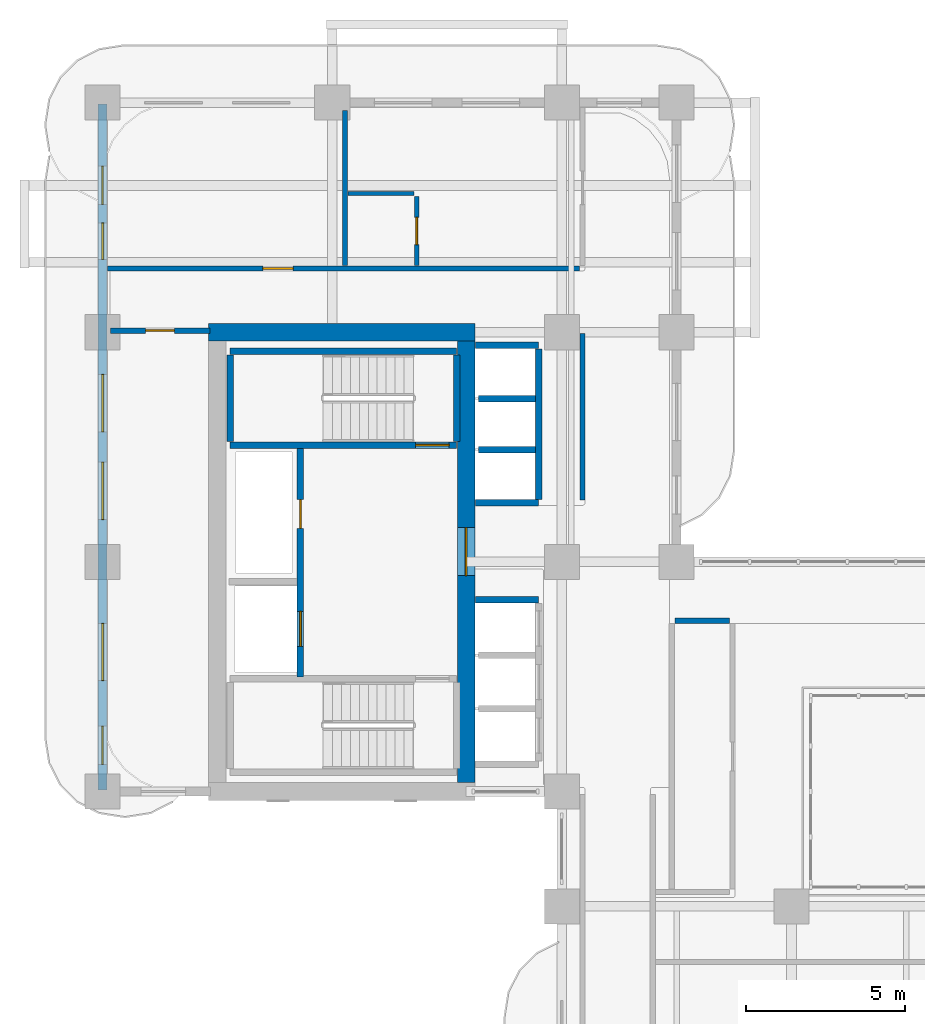
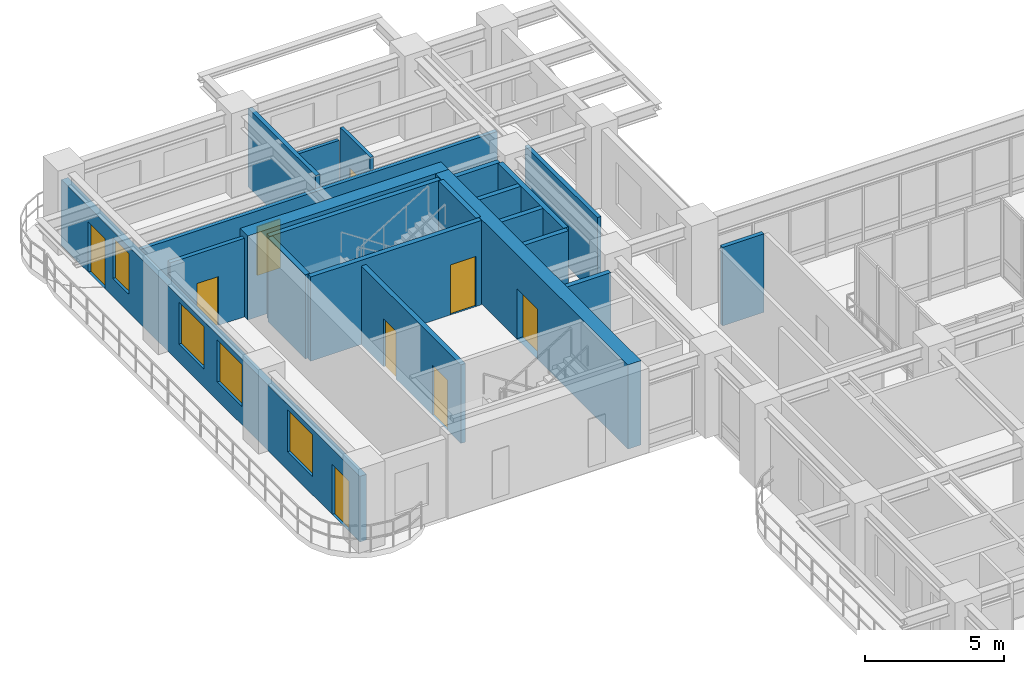
# One storey, part 16 of 22: 21 walls, 9 doors, 4 windows, 13 openings.
"""IFC4 building model written with IfcOpenShell, lengths in metres."""

import ifcopenshell
import ifcopenshell.guid

model = None  # the IFC model being written
_history = None  # IfcOwnerHistory: only IFC2X3 demands one
_inside = {}  # id of a spatial element -> (the spatial element, [elements in it])
_under = {}  # id of a project, library or spatial element -> (it, [spatial elements below it])
_declared = {}  # id of a project -> (the project, [libraries it declares])
_typed = {}  # id of a type object -> (the type object, [elements of that type])
_made_of = {}  # id of a material, layer set ... -> (it, [elements and type objects made of it])


def new_model(schema):
    """Start an empty IFC model of exactly this schema.

    Asked for "IFC4X3", IfcOpenShell would pick the latest addendum, in which some entities
    have other attributes; the version numbers below select the first issue.
    IFC2X3 requires an IfcOwnerHistory on every rooted entity: one is made here for all.
    """
    global model, _history
    if schema == "IFC4X3":
        model = ifcopenshell.file(schema_version=(4, 3, 0, 0))
    else:
        model = ifcopenshell.file(schema=schema)
    _inside.clear()
    _under.clear()
    _declared.clear()
    _typed.clear()
    _made_of.clear()
    _history = None
    if model.schema == "IFC2X3":
        org = make("IfcOrganization", Name="unknown")
        user = make(
            "IfcPersonAndOrganization",
            ThePerson=make("IfcPerson", FamilyName="unknown"),
            TheOrganization=org,
        )
        app = make(
            "IfcApplication",
            ApplicationDeveloper=org,
            Version="unknown",
            ApplicationFullName="unknown",
            ApplicationIdentifier="unknown",
        )
        _history = make(
            "IfcOwnerHistory",
            OwningUser=user,
            OwningApplication=app,
            ChangeAction="ADDED",
            CreationDate=0,
        )
    return model


def make(cls, **values):
    """One entity of the class cls with the attributes given. An attribute that is None is left unset."""
    return model.create_entity(
        cls, **{name: value for name, value in values.items() if value is not None}
    )


def rooted(cls, **values):
    """An entity with a GlobalId (a new one), such as an element, a storey or a relation."""
    return make(cls, GlobalId=ifcopenshell.guid.new(), OwnerHistory=_history, **values)


def si_unit(unit_type, name, prefix=None):
    """IfcSIUnit, for example si_unit("LENGTHUNIT", "METRE", prefix="MILLI")."""
    return make("IfcSIUnit", UnitType=unit_type, Prefix=prefix, Name=name)


def derived_unit(unit_type, elements):
    """IfcDerivedUnit: a product of units, each with its exponent."""
    return make(
        "IfcDerivedUnit",
        Elements=[
            make("IfcDerivedUnitElement", Unit=unit, Exponent=power)
            for unit, power in elements
        ],
        UnitType=unit_type,
    )


def assignment(units):
    """IfcUnitAssignment: the units of a project."""
    return None if units is None else make("IfcUnitAssignment", Units=units)


def point(xyz):
    """IfcCartesianPoint."""
    return None if xyz is None else make("IfcCartesianPoint", Coordinates=xyz)


def direction(xyz):
    """IfcDirection."""
    return None if xyz is None else make("IfcDirection", DirectionRatios=xyz)


def frame(location, z_axis=None, x_axis=None):
    """IfcAxis2Placement3D, a coordinate frame: its origin and axes. An axis left out is left unset."""
    return make(
        "IfcAxis2Placement3D",
        Location=point(location),
        Axis=direction(z_axis),
        RefDirection=direction(x_axis),
    )


def frame_2d(location, x_axis=None):
    """IfcAxis2Placement2D, a coordinate frame in the plane: its origin and x axis."""
    return make(
        "IfcAxis2Placement2D", Location=point(location), RefDirection=direction(x_axis)
    )


def origin():
    """The frame at (0, 0, 0) with its axes left unset."""
    return frame((0.0, 0.0, 0.0))


def place(relative_to, where):
    """IfcLocalPlacement: puts the frame where relative to a parent placement (None: the world)."""
    return make(
        "IfcLocalPlacement", PlacementRelTo=relative_to, RelativePlacement=where
    )


def context(
    kind, dimensions, precision=None, world=None, true_north=None, identifier=None
):
    """IfcGeometricRepresentationContext, for example the 3D "Model" context."""
    return make(
        "IfcGeometricRepresentationContext",
        ContextIdentifier=identifier,
        ContextType=kind,
        CoordinateSpaceDimension=dimensions,
        Precision=precision,
        WorldCoordinateSystem=world,
        TrueNorth=true_north,
    )


def subcontext(parent, identifier, kind, view, scale=None):
    """IfcGeometricRepresentationSubContext, for example "Body" below "Model"."""
    return make(
        "IfcGeometricRepresentationSubContext",
        ContextIdentifier=identifier,
        ContextType=kind,
        ParentContext=parent,
        TargetScale=scale,
        TargetView=view,
    )


def project(units=None, contexts=None):
    """IfcProject with its units and contexts."""
    return rooted(
        "IfcProject",
        Name="project",
        RepresentationContexts=contexts,
        UnitsInContext=assignment(units),
    )


def spatial(cls, under=None, at=None, **own):
    """A site, building, storey or space (cls), placed at a placement, below another one or the project."""
    s = rooted(cls, ObjectPlacement=at, **own)
    if under is not None:
        _under.setdefault(under.id(), (under, []))[1].append(s)
    return s


def profile(cls, at=None, kind="AREA", **sizes):
    """A parametric profile (cls). Its sizes go by their IFC names, for example OverallWidth=200.0."""
    return make(cls, ProfileType=kind, Position=at, **sizes)


def rectangle(**sizes):
    """IfcRectangleProfileDef."""
    return profile("IfcRectangleProfileDef", **sizes)


def extrude(swept, where, along, depth):
    """IfcExtrudedAreaSolid: the profile swept, set in the frame where, extruded along a direction by depth."""
    return make(
        "IfcExtrudedAreaSolid",
        SweptArea=swept,
        Position=where,
        ExtrudedDirection=direction(along),
        Depth=depth,
    )


def shape(context_of_items, identifier, shape_type, items):
    """IfcShapeRepresentation: the items that make up one representation, for example the "Body"."""
    return make(
        "IfcShapeRepresentation",
        ContextOfItems=context_of_items,
        RepresentationIdentifier=identifier,
        RepresentationType=shape_type,
        Items=items,
    )


def source(mapping_origin, context_of_items, identifier, shape_type, items):
    """IfcRepresentationMap: a shape defined once, which mapped items show again and again."""
    return make(
        "IfcRepresentationMap",
        MappingOrigin=mapping_origin,
        MappedRepresentation=shape(context_of_items, identifier, shape_type, items),
    )


def transform(
    local_origin,
    x_axis=None,
    y_axis=None,
    z_axis=None,
    scale=None,
    scale2=None,
    scale3=None,
    uniform=True,
):
    """IfcCartesianTransformationOperator3D, or its non-uniform kind. x_axis, y_axis, z_axis: its Axis1, 2, 3."""
    if uniform:
        return make(
            "IfcCartesianTransformationOperator3D",
            Axis1=direction(x_axis),
            Axis2=direction(y_axis),
            LocalOrigin=point(local_origin),
            Scale=scale,
            Axis3=direction(z_axis),
        )
    return make(
        "IfcCartesianTransformationOperator3DnonUniform",
        Axis1=direction(x_axis),
        Axis2=direction(y_axis),
        LocalOrigin=point(local_origin),
        Scale=scale,
        Axis3=direction(z_axis),
        Scale2=scale2,
        Scale3=scale3,
    )


def mapped(mapping_source, mapping_target):
    """IfcMappedItem: shows the shape of a source again, moved by a transform."""
    return make(
        "IfcMappedItem", MappingSource=mapping_source, MappingTarget=mapping_target
    )


def material(Name=None, Category=None):
    """IfcMaterial."""
    return make("IfcMaterial", Name=Name, Category=Category)


def layer(
    of_material, thickness, ventilated=None, Name=None, Category=None, Priority=None
):
    """IfcMaterialLayer: one layer of a wall or slab, of a material (None: an air gap)."""
    return make(
        "IfcMaterialLayer",
        Material=of_material,
        LayerThickness=thickness,
        IsVentilated=ventilated,
        Name=Name,
        Category=Category,
        Priority=Priority,
    )


def layer_set(layers, Name=None):
    """IfcMaterialLayerSet."""
    return make("IfcMaterialLayerSet", MaterialLayers=layers, LayerSetName=Name)


def made_of(thing, what):
    """Note that an element or type object is made of a material, layer set ...; save() writes the relation."""
    if what is not None:
        _made_of.setdefault(what.id(), (what, []))[1].append(thing)
    return thing


def type_object(cls, material=None, **own):
    """A type object (cls), such as IfcWallType, which elements share."""
    return made_of(rooted(cls, **own), material)


def type_shapes(of_type, sources):
    """Give a type object the sources (RepresentationMaps) that its elements show as mapped items."""
    of_type.RepresentationMaps = sources


def element(
    cls,
    number,
    at=None,
    inside=None,
    cuts=None,
    type_object=None,
    material=None,
    context=None,
    identifier="Body",
    shape_type=None,
    held_by="IfcProductDefinitionShape",
    body=None,
    shapes=None,
    **own,
):
    """One element of the class cls, such as IfcWall. Its Tag is "e" and its number.

    at: its placement. inside: the storey or other place that contains it. cuts: it is an
    opening in that element (IfcRelVoidsElement). A single representation is given by context,
    identifier, shape_type and body (its items); several are given by shapes. held_by: the class
    of the entity that holds the representations. save() writes the other relations.
    """
    e = rooted(cls, Tag="e%d" % number, ObjectPlacement=at, **own)
    if body is not None:
        shapes = [shape(context, identifier, shape_type, body)]
    if shapes is not None:
        e.Representation = make(held_by, Representations=shapes)
    if inside is not None:
        _inside.setdefault(inside.id(), (inside, []))[1].append(e)
    if cuts is not None:
        rooted(
            "IfcRelVoidsElement", RelatingBuildingElement=cuts, RelatedOpeningElement=e
        )
    if type_object is not None:
        _typed.setdefault(type_object.id(), (type_object, []))[1].append(e)
    return made_of(e, material)


def fill(opening, filler):
    """IfcRelFillsElement: the door or window that sits in an opening."""
    return rooted(
        "IfcRelFillsElement",
        RelatingOpeningElement=opening,
        RelatedBuildingElement=filler,
    )


def aggregate(whole, parts):
    """IfcRelAggregates: a whole, such as a stair, and the parts it consists of."""
    return rooted("IfcRelAggregates", RelatingObject=whole, RelatedObjects=parts)


def save(model, path):
    """Write the relations noted so far, then the file.

    IfcRelAggregates (storeys below a building ...), IfcRelContainedInSpatialStructure (elements
    in a storey), IfcRelDefinesByType, IfcRelAssociatesMaterial and IfcRelDeclares: one each for
    every whole, place, type object, material and project.
    """
    for whole, parts in _under.values():
        aggregate(whole, parts)
    for where, things in _inside.values():
        rooted(
            "IfcRelContainedInSpatialStructure",
            RelatedElements=things,
            RelatingStructure=where,
        )
    for kind, things in _typed.values():
        rooted("IfcRelDefinesByType", RelatedObjects=things, RelatingType=kind)
    for what, things in _made_of.values():
        rooted("IfcRelAssociatesMaterial", RelatedObjects=things, RelatingMaterial=what)
    for by, libraries in _declared.values():
        rooted("IfcRelDeclares", RelatingContext=by, RelatedDefinitions=libraries)
    model.write(path)


model = new_model("IFC4")

# Units and contexts
model_context = context("Model", 3, precision=1e-05, world=origin(), true_north=direction((0.0, 1.0)))
body_context = subcontext(model_context, "Body", "Model", "MODEL_VIEW")
ifc_project = project(units=[si_unit("LENGTHUNIT", "METRE"), si_unit("AREAUNIT", "SQUARE_METRE"), si_unit("VOLUMEUNIT", "CUBIC_METRE"), si_unit("PLANEANGLEUNIT", "RADIAN"), si_unit("MASSUNIT", "GRAM", prefix="KILO"), si_unit("THERMODYNAMICTEMPERATUREUNIT", "KELVIN"), si_unit("POWERUNIT", "WATT"), derived_unit("THERMALTRANSMITTANCEUNIT", [(si_unit("POWERUNIT", "WATT"), 1), (si_unit("AREAUNIT", "SQUARE_METRE"), -1), (si_unit("THERMODYNAMICTEMPERATUREUNIT", "KELVIN"), -1)])], contexts=[model_context])

# Site, building, storey
site_placement = place(None, origin())
site = spatial("IfcSite", under=ifc_project, at=site_placement, CompositionType="ELEMENT")
building_placement = place(site_placement, origin())
building = spatial("IfcBuilding", under=site, at=building_placement, Name="Zahravan Archway Hotel and Residences", CompositionType="ELEMENT")
storey_placement = place(building_placement, frame((0.0, 0.0, 80.5)))
storey = spatial("IfcBuildingStorey", under=building, at=storey_placement, Name="L19", CompositionType="ELEMENT", Elevation=80.5)

# Wall
ifc_material_1 = material(Name="Concrete C70/85", Category="concrete")
ifc_layer_1 = layer(ifc_material_1, 0.550048828125, Name="Concrete C70/85", Category="concrete")
ifc_layer_set_1 = layer_set([ifc_layer_1], Name="Concrete C70/85")
wall_type_1 = type_object("IfcWallType", Name="CW-CORE-550", PredefinedType="SHEAR", material=ifc_layer_set_1)
wall_1_placement = place(storey_placement, frame((3.324951171875, 39.60009765625, 0.0), z_axis=(0.0, 0.0, 1.0), x_axis=(1.0, 0.0, 0.0)))
element("IfcWall", 1, at=wall_1_placement, inside=storey, type_object=wall_type_1, Name="L19 Core B Shear N Wall 550 mm", PredefinedType="SHEAR", context=body_context, shape_type="SweptSolid", body=[
    extrude(rectangle(XDim=8.35009765625, YDim=0.550048828125, at=frame_2d((4.175048828125, 0.0))), origin(), (0.0, 0.0, 1.0), 3.699951171875),
])

# Wall, opening, door
wall_2_placement = place(storey_placement, frame((11.39990234375, 25.47509765625, 0.0), z_axis=(0.0, 0.0, 1.0), x_axis=(0.0, 1.0, 0.0)))
wall_2 = element("IfcWall", 2, at=wall_2_placement, inside=storey, type_object=wall_type_1, Name="L19 Core B Shear E Wall 550 mm", PredefinedType="SHEAR", context=body_context, shape_type="SweptSolid", body=[
    extrude(rectangle(XDim=13.849853515625, YDim=0.550048828125, at=frame_2d((6.9248046875, 0.0))), origin(), (0.0, 0.0, 1.0), 3.699951171875),
])
opening_1_placement = place(wall_2_placement, frame((6.4951171875, 0.0, 0.0)))
opening_1 = element("IfcOpeningElement", 3, at=opening_1_placement, cuts=wall_2, Name="Opening FD-L1", PredefinedType="OPENING", context=body_context, shape_type="SweptSolid", body=[
    extrude(rectangle(XDim=1.5, YDim=2.199951171875, at=frame_2d((0.75, 1.10009765625))), frame((0.0, 0.28515625, 0.0), z_axis=(0.0, -1.0, 0.0), x_axis=(1.0, 0.0, 0.0)), (0.0, 0.0, 1.0), 0.570068359375),
])
ifc_material_2 = material(Name="Fire-Rated Painted Steel", Category="steel")
door_type_1 = type_object("IfcDoorType", Name="FD-LOBBY-1500", OperationType="DOUBLE_DOOR_SINGLE_SWING", PredefinedType="DOOR", material=ifc_material_2)
shared_shape_1 = source(origin(), body_context, "Body", "SweptSolid", [
    extrude(rectangle(XDim=1.5, YDim=2.199951171875, at=frame_2d((0.75, 1.10009765625))), frame((0.0, 0.02490234375, 0.0), z_axis=(0.0, -1.0, 0.0), x_axis=(1.0, 0.0, 0.0)), (0.0, 0.0, 1.0), 0.050048828125),
])
type_shapes(door_type_1, [shared_shape_1])
door_1_placement = place(opening_1_placement, origin())
door_1 = element("IfcDoor", 4, at=door_1_placement, inside=storey, type_object=door_type_1, Name="L19 Core B FSAE Lobby Door", OperationType="DOUBLE_DOOR_SINGLE_SWING", OverallHeight=2.199951171875, OverallWidth=1.5, PredefinedType="DOOR", context=body_context, shape_type="MappedRepresentation", body=[
    mapped(shared_shape_1, transform((0.0, 0.0, 0.0), scale=1.0)),
])
fill(opening_1, door_1)

# Wall, openings, doors, windows
ifc_material_3 = material(Name="Honed Red-Ochre Sandstone & Insulated Block", Category="masonry")
ifc_layer_2 = layer(ifc_material_3, 0.280029296875, Name="Honed Red-Ochre Sandstone & Insulated Block", Category="masonry")
ifc_layer_set_2 = layer_set([ifc_layer_2], Name="Honed Red-Ochre Sandstone & Insulated Block")
wall_type_2 = type_object("IfcWallType", Name="EW-LOG-280", PredefinedType="SOLIDWALL", material=ifc_layer_set_2)
wall_3_placement = place(storey_placement, frame((0.0, 25.25, 0.0), z_axis=(0.0, 0.0, 1.0), x_axis=(0.0, 1.0, 0.0)))
wall_3 = element("IfcWall", 5, at=wall_3_placement, inside=storey, type_object=wall_type_2, Name="L19 Exterior Sandstone Wall WB-W", PredefinedType="SOLIDWALL", context=body_context, shape_type="SweptSolid", body=[
    extrude(rectangle(XDim=21.5, YDim=0.280029296875, at=frame_2d((10.75, 0.0))), origin(), (0.0, 0.0, 1.0), 2.885009765625),
])
opening_2_placement = place(wall_3_placement, frame((18.35693359375, 0.0, 0.0)))
opening_2 = element("IfcOpeningElement", 6, at=opening_2_placement, cuts=wall_3, Name="Opening ED-BL1", PredefinedType="OPENING", context=body_context, shape_type="SweptSolid", body=[
    extrude(rectangle(XDim=1.199951171875, YDim=2.199951171875, at=frame_2d((0.60009765625, 1.10009765625))), frame((0.0, 0.14990234375, 0.0), z_axis=(0.0, -1.0, 0.0), x_axis=(1.0, 0.0, 0.0)), (0.0, 0.0, 1.0), 0.300048828125),
])
opening_3_placement = place(wall_3_placement, frame((0.800048828125, 0.0, 0.0)))
opening_3 = element("IfcOpeningElement", 7, at=opening_3_placement, cuts=wall_3, Name="Opening ED-BL1", PredefinedType="OPENING", context=body_context, shape_type="SweptSolid", body=[
    extrude(rectangle(XDim=1.199951171875, YDim=2.199951171875, at=frame_2d((0.60009765625, 1.10009765625))), frame((0.0, 0.14990234375, 0.0), z_axis=(0.0, -1.0, 0.0), x_axis=(1.0, 0.0, 0.0)), (0.0, 0.0, 1.0), 0.300048828125),
])
opening_4_placement = place(wall_3_placement, frame((3.425048828125, 0.0, 0.800048828125)))
opening_4 = element("IfcOpeningElement", 8, at=opening_4_placement, cuts=wall_3, Name="Opening W-02", PredefinedType="OPENING", context=body_context, shape_type="SweptSolid", body=[
    extrude(rectangle(XDim=1.800048828125, YDim=1.85009765625, at=frame_2d((0.89990234375, 0.925048828125))), frame((0.0, 0.14990234375, 0.0), z_axis=(0.0, -1.0, 0.0), x_axis=(1.0, 0.0, 0.0)), (0.0, 0.0, 1.0), 0.300048828125),
])
opening_5_placement = place(wall_3_placement, frame((8.47509765625, 0.0, 0.800048828125)))
opening_5 = element("IfcOpeningElement", 9, at=opening_5_placement, cuts=wall_3, Name="Opening W-02", PredefinedType="OPENING", context=body_context, shape_type="SweptSolid", body=[
    extrude(rectangle(XDim=1.800048828125, YDim=1.85009765625, at=frame_2d((0.89990234375, 0.925048828125))), frame((0.0, 0.14990234375, 0.0), z_axis=(0.0, -1.0, 0.0), x_axis=(1.0, 0.0, 0.0)), (0.0, 0.0, 1.0), 0.300048828125),
])
opening_6_placement = place(wall_3_placement, frame((11.22509765625, 0.0, 0.800048828125)))
opening_6 = element("IfcOpeningElement", 10, at=opening_6_placement, cuts=wall_3, Name="Opening W-02", PredefinedType="OPENING", context=body_context, shape_type="SweptSolid", body=[
    extrude(rectangle(XDim=1.800048828125, YDim=1.85009765625, at=frame_2d((0.89990234375, 0.925048828125))), frame((0.0, 0.14990234375, 0.0), z_axis=(0.0, -1.0, 0.0), x_axis=(1.0, 0.0, 0.0)), (0.0, 0.0, 1.0), 0.300048828125),
])
opening_7_placement = place(wall_3_placement, frame((16.632080078125, 0.0, 0.800048828125)))
opening_7 = element("IfcOpeningElement", 11, at=opening_7_placement, cuts=wall_3, Name="Opening W-05", PredefinedType="OPENING", context=body_context, shape_type="SweptSolid", body=[
    extrude(rectangle(XDim=1.14990234375, YDim=1.800048828125, at=frame_2d((0.574951171875, 0.89990234375))), frame((0.0, 0.14990234375, 0.0), z_axis=(0.0, -1.0, 0.0), x_axis=(1.0, 0.0, 0.0)), (0.0, 0.0, 1.0), 0.300048828125),
])
ifc_material_4 = material(Name="Bronze-Anodized Glazed Aluminium", Category="aluminium")
door_type_2 = type_object("IfcDoorType", Name="ED-BALC-1200", OperationType="SLIDING_TO_LEFT", PredefinedType="DOOR", material=ifc_material_4)
shared_shape_2 = source(origin(), body_context, "Body", "SweptSolid", [
    extrude(rectangle(XDim=1.199951171875, YDim=2.199951171875, at=frame_2d((0.60009765625, 1.10009765625))), frame((0.0, 0.02490234375, 0.0), z_axis=(0.0, -1.0, 0.0), x_axis=(1.0, 0.0, 0.0)), (0.0, 0.0, 1.0), 0.050048828125),
])
type_shapes(door_type_2, [shared_shape_2])
door_2_placement = place(opening_2_placement, origin())
door_2 = element("IfcDoor", 12, at=door_2_placement, inside=storey, type_object=door_type_2, Name="L19 Outdoor Access Sliding Door (SLB-BAL-L19-NB)", OperationType="SLIDING_TO_LEFT", OverallHeight=2.199951171875, OverallWidth=1.199951171875, PredefinedType="DOOR", context=body_context, shape_type="MappedRepresentation", body=[
    mapped(shared_shape_2, transform((0.0, 0.0, 0.0), scale=1.0)),
])
fill(opening_2, door_2)
door_3_placement = place(opening_3_placement, origin())
door_3 = element("IfcDoor", 13, at=door_3_placement, inside=storey, type_object=door_type_2, Name="L19 Outdoor Access Sliding Door (SLB-BAL-L19-WB)", OperationType="SLIDING_TO_LEFT", OverallHeight=2.199951171875, OverallWidth=1.199951171875, PredefinedType="DOOR", context=body_context, shape_type="MappedRepresentation", body=[
    mapped(shared_shape_2, transform((0.0, 0.0, 0.0), scale=1.0)),
])
fill(opening_3, door_3)
ifc_material_5 = material(Name="Bronze-Anodized Thermal-Break Aluminium & Low-E Glass", Category="aluminium")
window_type_1 = type_object("IfcWindowType", Name="WIN-TWR-1800", PartitioningType="DOUBLE_PANEL_VERTICAL", PredefinedType="WINDOW", material=ifc_material_5)
shared_shape_3 = source(origin(), body_context, "Body", "SweptSolid", [
    extrude(rectangle(XDim=1.800048828125, YDim=1.85009765625, at=frame_2d((0.89990234375, 0.925048828125))), frame((0.0, 0.030029296875, 0.0), z_axis=(0.0, -1.0, 0.0), x_axis=(1.0, 0.0, 0.0)), (0.0, 0.0, 1.0), 0.06005859375),
])
type_shapes(window_type_1, [shared_shape_3])
window_1_placement = place(opening_4_placement, origin())
window_1 = element("IfcWindow", 14, at=window_1_placement, inside=storey, type_object=window_type_1, Name="L19 Loggia Window 30", OverallHeight=1.85009765625, OverallWidth=1.800048828125, PartitioningType="DOUBLE_PANEL_VERTICAL", PredefinedType="WINDOW", context=body_context, shape_type="MappedRepresentation", body=[
    mapped(shared_shape_3, transform((0.0, 0.0, 0.0), scale=1.0)),
])
fill(opening_4, window_1)
window_2_placement = place(opening_5_placement, origin())
window_2 = element("IfcWindow", 15, at=window_2_placement, inside=storey, type_object=window_type_1, Name="L19 Loggia Window 31", OverallHeight=1.85009765625, OverallWidth=1.800048828125, PartitioningType="DOUBLE_PANEL_VERTICAL", PredefinedType="WINDOW", context=body_context, shape_type="MappedRepresentation", body=[
    mapped(shared_shape_3, transform((0.0, 0.0, 0.0), scale=1.0)),
])
fill(opening_5, window_2)
window_3_placement = place(opening_6_placement, origin())
window_3 = element("IfcWindow", 16, at=window_3_placement, inside=storey, type_object=window_type_1, Name="L19 Loggia Window 32", OverallHeight=1.85009765625, OverallWidth=1.800048828125, PartitioningType="DOUBLE_PANEL_VERTICAL", PredefinedType="WINDOW", context=body_context, shape_type="MappedRepresentation", body=[
    mapped(shared_shape_3, transform((0.0, 0.0, 0.0), scale=1.0)),
])
fill(opening_6, window_3)
window_type_2 = type_object("IfcWindowType", Name="WIN-TWR-1150", PartitioningType="SINGLE_PANEL", PredefinedType="WINDOW", material=ifc_material_5)
shared_shape_4 = source(origin(), body_context, "Body", "SweptSolid", [
    extrude(rectangle(XDim=1.14990234375, YDim=1.800048828125, at=frame_2d((0.574951171875, 0.89990234375))), frame((0.0, 0.030029296875, 0.0), z_axis=(0.0, -1.0, 0.0), x_axis=(1.0, 0.0, 0.0)), (0.0, 0.0, 1.0), 0.06005859375),
])
type_shapes(window_type_2, [shared_shape_4])
window_4_placement = place(opening_7_placement, origin())
window_4 = element("IfcWindow", 17, at=window_4_placement, inside=storey, type_object=window_type_2, Name="L19 Loggia Window 33", OverallHeight=1.800048828125, OverallWidth=1.14990234375, PartitioningType="SINGLE_PANEL", PredefinedType="WINDOW", context=body_context, shape_type="MappedRepresentation", body=[
    mapped(shared_shape_4, transform((0.0, 0.0, 0.0), scale=1.0)),
])
fill(opening_7, window_4)

# Wall
ifc_material_6 = material(Name="Fire-Rated Gypsum & Concrete Block", Category="concrete")
ifc_layer_3 = layer(ifc_material_6, 0.159912109375, Name="Fire-Rated Gypsum & Concrete Block", Category="concrete")
ifc_layer_set_3 = layer_set([ifc_layer_3], Name="Fire-Rated Gypsum & Concrete Block")
wall_type_3 = type_object("IfcWallType", Name="PW-CORR-160", PredefinedType="PARTITIONING", material=ifc_layer_set_3)
wall_4_placement = place(storey_placement, frame((15.050048828125, 34.340087890625, 0.0), z_axis=(0.0, 0.0, 1.0), x_axis=(0.0, 1.0, 0.0)))
element("IfcWall", 18, at=wall_4_placement, inside=storey, type_object=wall_type_3, Name="L19 Partition WBN-CL", PredefinedType="PARTITIONING", context=body_context, shape_type="SweptSolid", body=[
    extrude(rectangle(XDim=5.219970703125, YDim=0.159912109375, at=frame_2d((2.60986328125, 0.0))), origin(), (0.0, 0.0, 1.0), 3.449951171875),
])

# Wall, opening, door
wall_5_placement = place(storey_placement, frame((0.14794921875, 41.60009765625, 0.0), z_axis=(0.0, 0.0, 1.0), x_axis=(1.0, 0.0, 0.0)))
wall_5 = element("IfcWall", 19, at=wall_5_placement, inside=storey, type_object=wall_type_3, Name="L19 Partition WBN-S2", PredefinedType="PARTITIONING", context=body_context, shape_type="SweptSolid", body=[
    extrude(rectangle(XDim=14.81201171875, YDim=0.159912109375, at=frame_2d((7.406005859375, 0.0))), origin(), (0.0, 0.0, 1.0), 2.885009765625),
])
opening_8_placement = place(wall_5_placement, frame((4.876953125, 0.0, 0.0)))
opening_8 = element("IfcOpeningElement", 20, at=opening_8_placement, cuts=wall_5, Name="Opening D-I1", PredefinedType="OPENING", context=body_context, shape_type="SweptSolid", body=[
    extrude(rectangle(XDim=0.949951171875, YDim=2.14990234375, at=frame_2d((0.47509765625, 1.074951171875))), frame((0.0, 0.08984375, 0.0), z_axis=(0.0, -1.0, 0.0), x_axis=(1.0, 0.0, 0.0)), (0.0, 0.0, 1.0), 0.179931640625),
])
ifc_material_7 = material(Name="Hardwood Veneer Timber", Category="wood")
door_type_3 = type_object("IfcDoorType", Name="ID-INT-950", OperationType="NOTDEFINED", PredefinedType="DOOR", material=ifc_material_7)
shared_shape_5 = source(origin(), body_context, "Body", "SweptSolid", [
    extrude(rectangle(XDim=0.949951171875, YDim=2.14990234375, at=frame_2d((0.47509765625, 1.074951171875))), frame((0.0, 0.02490234375, 0.0), z_axis=(0.0, -1.0, 0.0), x_axis=(1.0, 0.0, 0.0)), (0.0, 0.0, 1.0), 0.050048828125),
])
type_shapes(door_type_3, [shared_shape_5])
door_4_placement = place(opening_8_placement, origin())
door_4 = element("IfcDoor", 21, at=door_4_placement, inside=storey, type_object=door_type_3, Name="L19 North West Study Door", OperationType="SINGLE_SWING_RIGHT", OverallHeight=2.14990234375, OverallWidth=0.949951171875, PredefinedType="DOOR", context=body_context, shape_type="MappedRepresentation", body=[
    mapped(shared_shape_5, transform((0.0, 0.0, 0.0), scale=1.0)),
])
fill(opening_8, door_4)

# Wall, openings, doors
ifc_layer_4 = layer(ifc_material_6, 0.199951171875, Name="Fire-Rated Gypsum & Concrete Block", Category="concrete")
ifc_layer_set_4 = layer_set([ifc_layer_4], Name="Fire-Rated Gypsum & Concrete Block")
wall_type_4 = type_object("IfcWallType", Name="PW-SHAFT-200", PredefinedType="PARTITIONING", material=ifc_layer_set_4)
wall_6_placement = place(storey_placement, frame((6.199951171875, 28.7900390625, 0.0), z_axis=(0.0, 0.0, 1.0), x_axis=(0.0, 1.0, 0.0)))
wall_6 = element("IfcWall", 22, at=wall_6_placement, inside=storey, type_object=wall_type_4, Name="L19 Partition CB-FL3E", PredefinedType="PARTITIONING", context=body_context, shape_type="SweptSolid", body=[
    extrude(rectangle(XDim=7.219970703125, YDim=0.199951171875, at=frame_2d((3.60986328125, 0.0))), origin(), (0.0, 0.0, 1.0), 3.449951171875),
])
opening_9_placement = place(wall_6_placement, frame((4.659912109375, 0.0, 0.0)))
opening_9 = element("IfcOpeningElement", 23, at=opening_9_placement, cuts=wall_6, Name="Opening FD-R1", PredefinedType="OPENING", context=body_context, shape_type="SweptSolid", body=[
    extrude(rectangle(XDim=0.89990234375, YDim=2.10009765625, at=frame_2d((0.449951171875, 1.050048828125))), frame((0.0, 0.10986328125, 0.0), z_axis=(0.0, -1.0, 0.0), x_axis=(1.0, 0.0, 0.0)), (0.0, 0.0, 1.0), 0.219970703125),
])
opening_10_placement = place(wall_6_placement, frame((0.9599609375, 0.0, 0.0)))
opening_10 = element("IfcOpeningElement", 24, at=opening_10_placement, cuts=wall_6, Name="Opening LD", PredefinedType="OPENING", context=body_context, shape_type="SweptSolid", body=[
    extrude(rectangle(XDim=1.10009765625, YDim=2.199951171875, at=frame_2d((0.550048828125, 1.10009765625))), frame((0.0, 0.10986328125, 0.0), z_axis=(0.0, -1.0, 0.0), x_axis=(1.0, 0.0, 0.0)), (0.0, 0.0, 1.0), 0.219970703125),
])
door_type_4 = type_object("IfcDoorType", Name="FD-RISER-900", OperationType="NOTDEFINED", PredefinedType="DOOR", material=ifc_material_2)
shared_shape_6 = source(origin(), body_context, "Body", "SweptSolid", [
    extrude(rectangle(XDim=0.89990234375, YDim=2.10009765625, at=frame_2d((0.449951171875, 1.050048828125))), frame((0.0, 0.02490234375, 0.0), z_axis=(0.0, -1.0, 0.0), x_axis=(1.0, 0.0, 0.0)), (0.0, 0.0, 1.0), 0.050048828125),
])
type_shapes(door_type_4, [shared_shape_6])
door_5_placement = place(opening_9_placement, origin())
door_5 = element("IfcDoor", 25, at=door_5_placement, inside=storey, type_object=door_type_4, Name="L19 Core B Riser Door", OperationType="SINGLE_SWING_LEFT", OverallHeight=2.10009765625, OverallWidth=0.89990234375, PredefinedType="DOOR", context=body_context, shape_type="MappedRepresentation", body=[
    mapped(shared_shape_6, transform((0.0, 0.0, 0.0), scale=1.0)),
])
fill(opening_9, door_5)
ifc_material_8 = material(Name="Brushed Stainless Steel", Category="steel")
door_type_5 = type_object("IfcDoorType", Name="DR-LIFT-LD", OperationType="SLIDING_TO_LEFT", PredefinedType="DOOR", material=ifc_material_8)
shared_shape_7 = source(origin(), body_context, "Body", "SweptSolid", [
    extrude(rectangle(XDim=1.10009765625, YDim=2.199951171875, at=frame_2d((0.550048828125, 1.10009765625))), frame((0.0, 0.02490234375, 0.0), z_axis=(0.0, -1.0, 0.0), x_axis=(1.0, 0.0, 0.0)), (0.0, 0.0, 1.0), 0.050048828125),
])
type_shapes(door_type_5, [shared_shape_7])
door_6_placement = place(opening_10_placement, origin())
door_6 = element("IfcDoor", 26, at=door_6_placement, inside=storey, type_object=door_type_5, Name="L19 Lift FL-3 Sliding Landing Door", OperationType="SLIDING_TO_LEFT", OverallHeight=2.199951171875, OverallWidth=1.10009765625, PredefinedType="DOOR", context=body_context, shape_type="MappedRepresentation", body=[
    mapped(shared_shape_7, transform((0.0, 0.0, 0.0), scale=1.0)),
])
fill(opening_10, door_6)

# Walls
for number, where, z_axis, x_axis, name in (
    (27, (11.68505859375, 31.2099609375, 0.0), (0.0, 0.0, 1.0), (1.0, 0.0, 0.0), "L19 Partition B1-N"),
    (28, (11.68505859375, 34.25, 0.0), (0.0, 0.0, 1.0), (1.0, 0.0, 0.0), "L19 Partition B2-S"),
    (29, (11.68505859375, 39.18994140625, 0.0), (0.0, 0.0, 1.0), (1.0, 0.0, 0.0), "L19 Partition B2-N"),
):
    element("IfcWall", number, at=place(storey_placement, frame(where, z_axis=z_axis, x_axis=x_axis)), inside=storey, type_object=wall_type_4, Name=name, PredefinedType="PARTITIONING", context=body_context, shape_type="SweptSolid", body=[
        extrude(rectangle(XDim=1.98486328125, YDim=0.199951171875, at=frame_2d((0.992431640625, 0.0))), origin(), (0.0, 0.0, 1.0), 3.449951171875),
    ])
wall_7_placement = place(storey_placement, frame((13.679931640625, 34.360107421875, 0.0), z_axis=(0.0, 0.0, 1.0), x_axis=(0.0, 1.0, 0.0)))
element("IfcWall", 30, at=wall_7_placement, inside=storey, type_object=wall_type_4, Name="L19 Partition B2-E", PredefinedType="PARTITIONING", context=body_context, shape_type="SweptSolid", body=[
    extrude(rectangle(XDim=4.719970703125, YDim=0.199951171875, at=frame_2d((2.35986328125, 0.0))), origin(), (0.0, 0.0, 1.0), 3.449951171875),
])
for number, where, z_axis, x_axis, name in (
    (31, (11.784912109375, 35.919921875, 0.0), (0.0, 0.0, 1.0), (1.0, 0.0, 0.0), "L19 Partition B2-D"),
    (32, (11.784912109375, 37.52001953125, 0.0), (0.0, 0.0, 1.0), (1.0, 0.0, 0.0), "L19 Partition B2-D"),
):
    element("IfcWall", number, at=place(storey_placement, frame(where, z_axis=z_axis, x_axis=x_axis)), inside=storey, type_object=wall_type_4, Name=name, PredefinedType="PARTITIONING", context=body_context, shape_type="SweptSolid", body=[
        extrude(rectangle(XDim=1.78515625, YDim=0.199951171875, at=frame_2d((0.892578125, 0.0))), origin(), (0.0, 0.0, 1.0), 3.449951171875),
    ])

# Wall, opening, door
ifc_material_9 = material(Name="Acoustic Stud Partition")
ifc_layer_5 = layer(ifc_material_9, 0.169921875, Name="Acoustic Stud Partition")
ifc_layer_set_5 = layer_set([ifc_layer_5], Name="Acoustic Stud Partition")
wall_type_5 = type_object("IfcWallType", Name="PW-UNIT-170", PredefinedType="PARTITIONING", material=ifc_layer_set_5)
wall_8_placement = place(storey_placement, frame((0.239990234375, 39.64990234375, 0.0), z_axis=(0.0, 0.0, 1.0), x_axis=(1.0, 0.0, 0.0)))
wall_8 = element("IfcWall", 33, at=wall_8_placement, inside=storey, type_object=wall_type_5, Name="L19 Partition WBW-N", PredefinedType="PARTITIONING", context=body_context, shape_type="SweptSolid", body=[
    extrude(rectangle(XDim=3.1201171875, YDim=0.169921875, at=frame_2d((1.56005859375, 0.0))), origin(), (0.0, 0.0, 1.0), 3.449951171875),
])
opening_11_placement = place(wall_8_placement, frame((1.110107421875, 0.0, 0.0)))
opening_11 = element("IfcOpeningElement", 34, at=opening_11_placement, cuts=wall_8, Name="Opening D-I2", PredefinedType="OPENING", context=body_context, shape_type="SweptSolid", body=[
    extrude(rectangle(XDim=0.89990234375, YDim=2.14990234375, at=frame_2d((0.449951171875, 1.074951171875))), frame((0.0, 0.094970703125, 0.0), z_axis=(0.0, -1.0, 0.0), x_axis=(1.0, 0.0, 0.0)), (0.0, 0.0, 1.0), 0.18994140625),
])
door_type_6 = type_object("IfcDoorType", Name="ID-INT-900", OperationType="NOTDEFINED", PredefinedType="DOOR", material=ifc_material_7)
shared_shape_8 = source(origin(), body_context, "Body", "SweptSolid", [
    extrude(rectangle(XDim=0.89990234375, YDim=2.14990234375, at=frame_2d((0.449951171875, 1.074951171875))), frame((0.0, 0.02490234375, 0.0), z_axis=(0.0, -1.0, 0.0), x_axis=(1.0, 0.0, 0.0)), (0.0, 0.0, 1.0), 0.050048828125),
])
type_shapes(door_type_6, [shared_shape_8])
door_7_placement = place(opening_11_placement, origin())
door_7 = element("IfcDoor", 35, at=door_7_placement, inside=storey, type_object=door_type_6, Name="L19 West Loggia Salon Door", OperationType="SINGLE_SWING_RIGHT", OverallHeight=2.14990234375, OverallWidth=0.89990234375, PredefinedType="DOOR", context=body_context, shape_type="MappedRepresentation", body=[
    mapped(shared_shape_8, transform((0.0, 0.0, 0.0), scale=1.0)),
])
fill(opening_11, door_7)

# Walls
wall_9_placement = place(storey_placement, frame((7.60009765625, 41.68994140625, 0.0), z_axis=(0.0, 0.0, 1.0), x_axis=(0.0, 1.0, 0.0)))
element("IfcWall", 36, at=wall_9_placement, inside=storey, type_object=wall_type_5, Name="L19 Partition WBN-V2", PredefinedType="PARTITIONING", context=body_context, shape_type="SweptSolid", body=[
    extrude(rectangle(XDim=4.8701171875, YDim=0.169921875, at=frame_2d((2.43505859375, 0.0))), origin(), (0.0, 0.0, 1.0), 3.449951171875),
])
wall_10_placement = place(storey_placement, frame((17.93994140625, 30.550048828125, 0.0), z_axis=(0.0, 0.0, 1.0), x_axis=(1.0, 0.0, 0.0)))
element("IfcWall", 37, at=wall_10_placement, inside=storey, type_object=wall_type_5, Name="L19 Partition ATR-WLN", PredefinedType="PARTITIONING", context=body_context, shape_type="SweptSolid", body=[
    extrude(rectangle(XDim=1.719970703125, YDim=0.169921875, at=frame_2d((0.85986328125, 0.0))), origin(), (0.0, 0.0, 1.0), 3.449951171875),
])
ifc_material_10 = material(Name="Moisture-Resistant Blockwork", Category="masonry")
ifc_layer_6 = layer(ifc_material_10, 0.139892578125, Name="Moisture-Resistant Blockwork", Category="masonry")
ifc_layer_set_6 = layer_set([ifc_layer_6], Name="Moisture-Resistant Blockwork")
wall_type_6 = type_object("IfcWallType", Name="PW-WET-140", PredefinedType="PARTITIONING", material=ifc_layer_set_6)
wall_11_placement = place(storey_placement, frame((7.68994140625, 43.949951171875, 0.0), z_axis=(0.0, 0.0, 1.0), x_axis=(1.0, 0.0, 0.0)))
element("IfcWall", 38, at=wall_11_placement, inside=storey, type_object=wall_type_6, Name="L19 Partition HKB-H78", PredefinedType="PARTITIONING", context=body_context, shape_type="SweptSolid", body=[
    extrude(rectangle(XDim=2.070068359375, YDim=0.139892578125, at=frame_2d((1.03515625, 0.0))), origin(), (0.0, 0.0, 1.0), 2.885009765625),
])

# Wall, opening, door
wall_12_placement = place(storey_placement, frame((9.85009765625, 41.68994140625, 0.0), z_axis=(0.0, 0.0, 1.0), x_axis=(0.0, 1.0, 0.0)))
wall_12 = element("IfcWall", 39, at=wall_12_placement, inside=storey, type_object=wall_type_6, Name="L19 Partition HKB-V78", PredefinedType="PARTITIONING", context=body_context, shape_type="SweptSolid", body=[
    extrude(rectangle(XDim=2.170166015625, YDim=0.139892578125, at=frame_2d((1.0849609375, 0.0))), origin(), (0.0, 0.0, 1.0), 3.449951171875),
])
opening_12_placement = place(wall_12_placement, frame((0.659912109375, 0.0, 0.0)))
opening_12 = element("IfcOpeningElement", 40, at=opening_12_placement, cuts=wall_12, Name="Opening D-B1", PredefinedType="OPENING", context=body_context, shape_type="SweptSolid", body=[
    extrude(rectangle(XDim=0.85009765625, YDim=2.10009765625, at=frame_2d((0.425048828125, 1.050048828125))), frame((0.0, 0.080078125, 0.0), z_axis=(0.0, -1.0, 0.0), x_axis=(1.0, 0.0, 0.0)), (0.0, 0.0, 1.0), 0.159912109375),
])
door_type_7 = type_object("IfcDoorType", Name="ID-BATH-850", OperationType="NOTDEFINED", PredefinedType="DOOR", material=ifc_material_7)
shared_shape_9 = source(origin(), body_context, "Body", "SweptSolid", [
    extrude(rectangle(XDim=0.85009765625, YDim=2.10009765625, at=frame_2d((0.425048828125, 1.050048828125))), frame((0.0, 0.02490234375, 0.0), z_axis=(0.0, -1.0, 0.0), x_axis=(1.0, 0.0, 0.0)), (0.0, 0.0, 1.0), 0.050048828125),
])
type_shapes(door_type_7, [shared_shape_9])
door_8_placement = place(opening_12_placement, origin())
door_8 = element("IfcDoor", 41, at=door_8_placement, inside=storey, type_object=door_type_7, Name="L19 Guestroom 78 En-Suite Door", OperationType="SINGLE_SWING_LEFT", OverallHeight=2.10009765625, OverallWidth=0.85009765625, PredefinedType="DOOR", context=body_context, shape_type="MappedRepresentation", body=[
    mapped(shared_shape_9, transform((0.0, 0.0, 0.0), scale=1.0)),
])
fill(opening_12, door_8)

# Walls
ifc_material_11 = material(Name="Concrete C50/60", Category="concrete")
ifc_layer_7 = layer(ifc_material_11, 0.199951171875, Name="Concrete C50/60", Category="concrete")
ifc_layer_set_7 = layer_set([ifc_layer_7], Name="Concrete C50/60")
wall_type_7 = type_object("IfcWallType", Name="SW-STAIR-200", PredefinedType="SHEAR", material=ifc_layer_set_7)
wall_13_placement = place(storey_placement, frame((4.0, 39.0, 0.0), z_axis=(0.0, 0.0, 1.0), x_axis=(1.0, 0.0, 0.0)))
element("IfcWall", 42, at=wall_13_placement, inside=storey, type_object=wall_type_7, Name="L19 Stairwell RC Wall CB-SB2N", PredefinedType="SHEAR", context=body_context, shape_type="SweptSolid", body=[
    extrude(rectangle(XDim=7.10009765625, YDim=0.199951171875, at=frame_2d((3.550048828125, 0.0))), origin(), (0.0, 0.0, 1.0), 3.699951171875),
])
for number, where, z_axis, x_axis, name in (
    (43, (4.0, 36.179931640625, 0.0), (0.0, 0.0, 1.0), (0.0, 1.0, 0.0), "L19 Stairwell RC Wall CB-SB2W"),
    (44, (11.10009765625, 36.179931640625, 0.0), (0.0, 0.0, 1.0), (0.0, 1.0, 0.0), "L19 Stairwell RC Wall CB-SB2E"),
):
    element("IfcWall", number, at=place(storey_placement, frame(where, z_axis=z_axis, x_axis=x_axis)), inside=storey, type_object=wall_type_7, Name=name, PredefinedType="SHEAR", context=body_context, shape_type="SweptSolid", body=[
        extrude(rectangle(XDim=2.699951171875, YDim=0.199951171875, at=frame_2d((1.35009765625, 0.0))), origin(), (0.0, 0.0, 1.0), 3.699951171875),
    ])

# Wall, opening, door
wall_14_placement = place(storey_placement, frame((4.0, 36.06005859375, 0.0), z_axis=(0.0, 0.0, 1.0), x_axis=(1.0, 0.0, 0.0)))
wall_14 = element("IfcWall", 45, at=wall_14_placement, inside=storey, type_object=wall_type_7, Name="L19 Stairwell RC Wall CB-SB2S", PredefinedType="SHEAR", context=body_context, shape_type="SweptSolid", body=[
    extrude(rectangle(XDim=7.10009765625, YDim=0.199951171875, at=frame_2d((3.550048828125, 0.0))), origin(), (0.0, 0.0, 1.0), 3.699951171875),
])
opening_13_placement = place(wall_14_placement, frame((5.81494140625, 0.0, 0.0)))
opening_13 = element("IfcOpeningElement", 46, at=opening_13_placement, cuts=wall_14, Name="Opening FD-S1", PredefinedType="OPENING", context=body_context, shape_type="SweptSolid", body=[
    extrude(rectangle(XDim=1.050048828125, YDim=2.199951171875, at=frame_2d((0.52490234375, 1.10009765625))), frame((0.0, 0.10986328125, 0.0), z_axis=(0.0, -1.0, 0.0), x_axis=(1.0, 0.0, 0.0)), (0.0, 0.0, 1.0), 0.219970703125),
])
door_type_8 = type_object("IfcDoorType", Name="FD-STAIR-1100", OperationType="NOTDEFINED", PredefinedType="DOOR", material=ifc_material_2)
shared_shape_10 = source(origin(), body_context, "Body", "SweptSolid", [
    extrude(rectangle(XDim=1.050048828125, YDim=2.199951171875, at=frame_2d((0.52490234375, 1.10009765625))), frame((0.0, 0.02490234375, 0.0), z_axis=(0.0, -1.0, 0.0), x_axis=(1.0, 0.0, 0.0)), (0.0, 0.0, 1.0), 0.050048828125),
])
type_shapes(door_type_8, [shared_shape_10])
door_9_placement = place(opening_13_placement, origin())
door_9 = element("IfcDoor", 47, at=door_9_placement, inside=storey, type_object=door_type_8, Name="L19 Stair ST-B2 Door", OperationType="SINGLE_SWING_RIGHT", OverallHeight=2.199951171875, OverallWidth=1.050048828125, PredefinedType="DOOR", context=body_context, shape_type="MappedRepresentation", body=[
    mapped(shared_shape_10, transform((0.0, 0.0, 0.0), scale=1.0)),
])
fill(opening_13, door_9)

save(model, "model.ifc")
